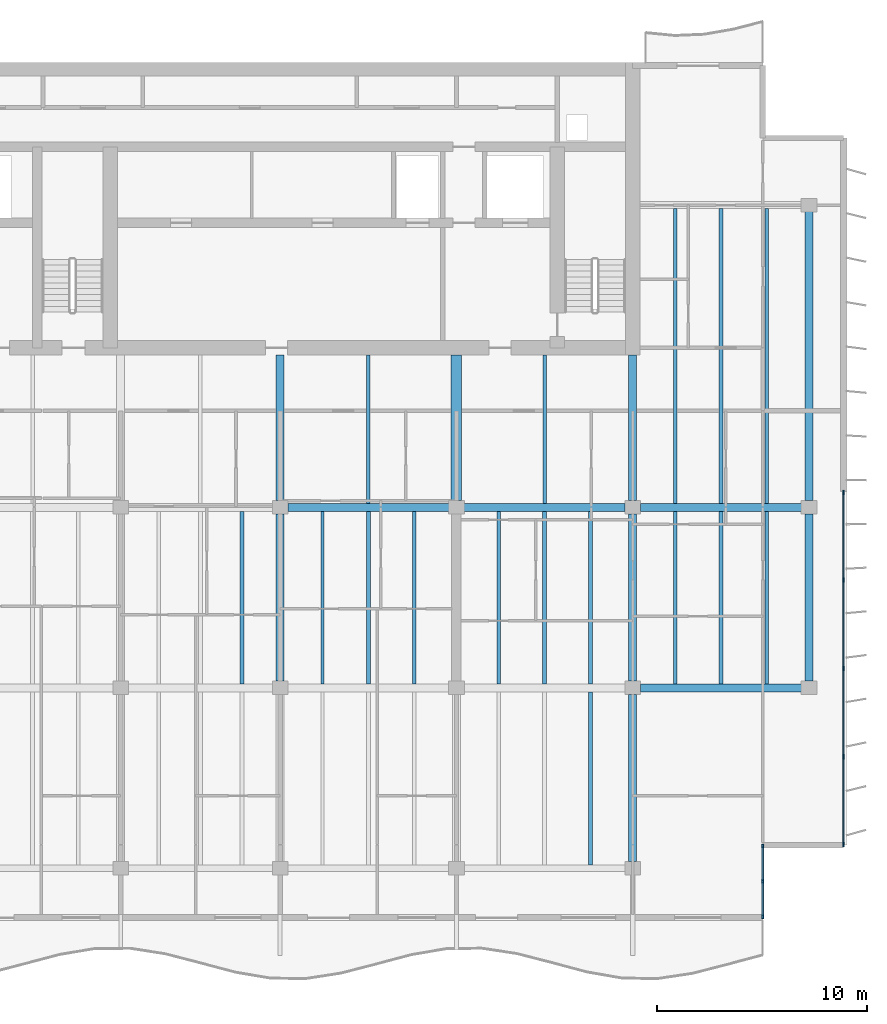
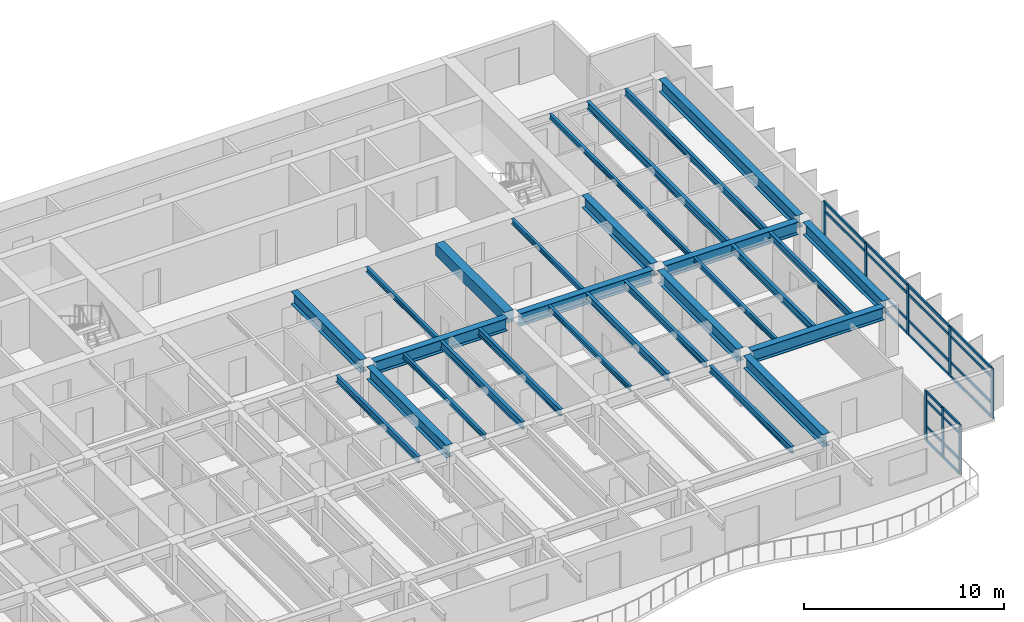
# One storey, part 4 of 16: 32 members, 28 beams, 2 elements without a shape of their own.
"""IFC4 building model written with IfcOpenShell, lengths in metres."""

from ifc_helpers import new_model, si_unit, direction, frame, origin, origin_2d, place, context, subcontext, project, spatial, rectangle, i_section, extrude, material, layer, layer_set, material_profile, profile_set, type_object, element, aggregate, save


model = new_model("IFC4")

# Units and contexts
model_context = context("Model", 3, precision=1e-05, world=origin(), true_north=direction((0.0, 1.0)))
body_context = subcontext(model_context, "Body", "Model", "MODEL_VIEW")
ifc_project = project(units=[si_unit("LENGTHUNIT", "METRE"), si_unit("AREAUNIT", "SQUARE_METRE"), si_unit("VOLUMEUNIT", "CUBIC_METRE"), si_unit("PLANEANGLEUNIT", "RADIAN"), si_unit("MASSUNIT", "GRAM", prefix="KILO")], contexts=[model_context])

# Site, building, storey
site_placement = place(None, origin())
site = spatial("IfcSite", under=ifc_project, at=site_placement, CompositionType="ELEMENT")
building_placement = place(site_placement, origin())
building = spatial("IfcBuilding", under=site, at=building_placement, Name="Caelmar Bay Residences", CompositionType="ELEMENT")
storey_placement = place(building_placement, frame((0.0, 0.0, 233.10009765625)))
storey = spatial("IfcBuildingStorey", under=building, at=storey_placement, Name="L65", CompositionType="ELEMENT", Elevation=233.10009765625)

# Beams
ifc_material_1 = material(Name="Steel ASTM A992 Grade 50", Category="steel")
ifc_material_profile_1 = material_profile(ifc_material_1, i_section(OverallWidth=0.177978515625, OverallDepth=0.406005859375, WebThickness=0.0078125, FlangeThickness=0.0126953125, FilletRadius=0.0087890625, at=origin_2d()), Name="W16X40")
ifc_profile_set_1 = profile_set([ifc_material_profile_1], Name="Steel ASTM A992 Grade 50")
beam_type_1 = type_object("IfcBeamType", Name="BM-BAL-W16X40", PredefinedType="JOIST", material=ifc_profile_set_1)
beam_1_placement = place(storey_placement, frame((57.48388671875, 12.362548828125, 2.846923828125), z_axis=(0.0, 1.0, 0.0), x_axis=(-1.0, 0.0, 0.0)))
element("IfcBeam", 1, at=beam_1_placement, inside=storey, type_object=beam_type_1, Name="L65 Composite Floor Joist 15", PredefinedType="JOIST", context=body_context, shape_type="SweptSolid", body=[
    extrude(i_section(OverallWidth=0.177978515625, OverallDepth=0.406005859375, WebThickness=0.0078125, FlangeThickness=0.0126953125, FilletRadius=0.0087890625, at=origin_2d()), origin(), (0.0, 0.0, 1.0), 8.2470703125),
])
for number, where, z_axis, x_axis, name in (
    (2, (40.8759765625, 20.990478515625, 2.846923828125), (0.0, 1.0, 0.0), (-1.0, 0.0, 0.0), "L65 Composite Floor Joist 27"),
    (3, (49.083984375, 20.990478515625, 2.846923828125), (0.0, 1.0, 0.0), (-1.0, 0.0, 0.0), "L65 Composite Floor Joist 30"),
    (4, (57.48388671875, 20.990478515625, 2.846923828125), (0.0, 1.0, 0.0), (-1.0, 0.0, 0.0), "L65 Composite Floor Joist 33"),
    (5, (65.884033203125, 20.990478515625, 2.846923828125), (0.0, 1.0, 0.0), (-1.0, 0.0, 0.0), "L65 Composite Floor Joist 36"),
):
    element("IfcBeam", number, at=place(storey_placement, frame(where, z_axis=z_axis, x_axis=x_axis)), inside=storey, type_object=beam_type_1, Name=name, PredefinedType="JOIST", context=body_context, shape_type="SweptSolid", body=[
        extrude(i_section(OverallWidth=0.177978515625, OverallDepth=0.406005859375, WebThickness=0.0078125, FlangeThickness=0.0126953125, FilletRadius=0.0087890625, at=origin_2d()), origin(), (0.0, 0.0, 1.0), 8.218994140625),
    ])
beam_2_placement = place(storey_placement, frame((65.884033203125, 29.590576171875, 2.846923828125), z_axis=(0.0, 1.0, 0.0), x_axis=(-1.0, 0.0, 0.0)))
element("IfcBeam", 6, at=beam_2_placement, inside=storey, type_object=beam_type_1, Name="L65 Composite Floor Joist 47", PredefinedType="JOIST", context=body_context, shape_type="SweptSolid", body=[
    extrude(i_section(OverallWidth=0.177978515625, OverallDepth=0.406005859375, WebThickness=0.0078125, FlangeThickness=0.0126953125, FilletRadius=0.0087890625, at=origin_2d()), origin(), (0.0, 0.0, 1.0), 14.046875),
])
ifc_material_profile_2 = material_profile(ifc_material_1, i_section(OverallWidth=0.381103515625, OverallDepth=0.77197265625, WebThickness=0.0166015625, FlangeThickness=0.027099609375, FilletRadius=0.0166015625, at=origin_2d()), Name="W30X173")
ifc_profile_set_2 = profile_set([ifc_material_profile_2], Name="Steel ASTM A992 Grade 50")
beam_type_2 = type_object("IfcBeamType", Name="BM-GRD-W30X173", PredefinedType="BEAM", material=ifc_profile_set_2)
beam_3_placement = place(storey_placement, frame((59.864990234375, 20.800048828125, 2.663818359375), z_axis=(1.0, 0.0, 0.0), x_axis=(0.0, 1.0, 0.0)))
element("IfcBeam", 7, at=beam_3_placement, inside=storey, type_object=beam_type_2, Name="L65 East-West Girder Y=20.80 (59.5-67.9)", PredefinedType="BEAM", context=body_context, shape_type="SweptSolid", body=[
    extrude(i_section(OverallWidth=0.381103515625, OverallDepth=0.77197265625, WebThickness=0.0166015625, FlangeThickness=0.027099609375, FilletRadius=0.0166015625, at=origin_2d()), origin(), (0.0, 0.0, 1.0), 7.669921875),
])
beam_4_placement = place(storey_placement, frame((43.06494140625, 29.39990234375, 2.663818359375), z_axis=(1.0, 0.0, 0.0), x_axis=(0.0, 1.0, 0.0)))
element("IfcBeam", 8, at=beam_4_placement, inside=storey, type_object=beam_type_2, Name="L65 East-West Girder Y=29.40 (42.7-51.1)", PredefinedType="BEAM", context=body_context, shape_type="SweptSolid", body=[
    extrude(i_section(OverallWidth=0.381103515625, OverallDepth=0.77197265625, WebThickness=0.0166015625, FlangeThickness=0.027099609375, FilletRadius=0.0166015625, at=origin_2d()), origin(), (0.0, 0.0, 1.0), 7.670166015625),
])
for number, where, z_axis, x_axis, name in (
    (9, (51.465087890625, 29.39990234375, 2.663818359375), (1.0, 0.0, 0.0), (0.0, 1.0, 0.0), "L65 East-West Girder Y=29.40 (51.1-59.5)"),
    (10, (59.864990234375, 29.39990234375, 2.663818359375), (1.0, 0.0, 0.0), (0.0, 1.0, 0.0), "L65 East-West Girder Y=29.40 (59.5-67.9)"),
):
    element("IfcBeam", number, at=place(storey_placement, frame(where, z_axis=z_axis, x_axis=x_axis)), inside=storey, type_object=beam_type_2, Name=name, PredefinedType="BEAM", context=body_context, shape_type="SweptSolid", body=[
        extrude(i_section(OverallWidth=0.381103515625, OverallDepth=0.77197265625, WebThickness=0.0166015625, FlangeThickness=0.027099609375, FilletRadius=0.0166015625, at=origin_2d()), origin(), (0.0, 0.0, 1.0), 7.669921875),
    ])
beam_5_placement = place(storey_placement, frame((42.699951171875, 29.715087890625, 2.663818359375), z_axis=(0.0, 1.0, 0.0), x_axis=(-1.0, 0.0, 0.0)))
element("IfcBeam", 11, at=beam_5_placement, inside=storey, type_object=beam_type_2, Name="L65 Core Tie Girder X=42.70", PredefinedType="BEAM", context=body_context, shape_type="SweptSolid", body=[
    extrude(i_section(OverallWidth=0.381103515625, OverallDepth=0.77197265625, WebThickness=0.0166015625, FlangeThickness=0.027099609375, FilletRadius=0.0166015625, at=origin_2d()), origin(), (0.0, 0.0, 1.0), 6.934814453125),
])
beam_6_placement = place(storey_placement, frame((42.699951171875, 21.114990234375, 2.663818359375), z_axis=(0.0, 1.0, 0.0), x_axis=(-1.0, 0.0, 0.0)))
element("IfcBeam", 12, at=beam_6_placement, inside=storey, type_object=beam_type_2, Name="L65 North-South Girder X=42.70 (20.8-29.4)", PredefinedType="BEAM", context=body_context, shape_type="SweptSolid", body=[
    extrude(i_section(OverallWidth=0.381103515625, OverallDepth=0.77197265625, WebThickness=0.0166015625, FlangeThickness=0.027099609375, FilletRadius=0.0166015625, at=origin_2d()), origin(), (0.0, 0.0, 1.0), 7.969970703125),
])
beam_7_placement = place(storey_placement, frame((59.5, 29.715087890625, 2.663818359375), z_axis=(0.0, 1.0, 0.0), x_axis=(-1.0, 0.0, 0.0)))
element("IfcBeam", 13, at=beam_7_placement, inside=storey, type_object=beam_type_2, Name="L65 Core Tie Girder X=59.50", PredefinedType="BEAM", context=body_context, shape_type="SweptSolid", body=[
    extrude(i_section(OverallWidth=0.381103515625, OverallDepth=0.77197265625, WebThickness=0.0166015625, FlangeThickness=0.027099609375, FilletRadius=0.0166015625, at=origin_2d()), origin(), (0.0, 0.0, 1.0), 6.934814453125),
])
beam_8_placement = place(storey_placement, frame((59.5, 12.514892578125, 2.663818359375), z_axis=(0.0, 1.0, 0.0), x_axis=(-1.0, 0.0, 0.0)))
element("IfcBeam", 14, at=beam_8_placement, inside=storey, type_object=beam_type_2, Name="L65 North-South Girder X=59.50 (12.2-20.8)", PredefinedType="BEAM", context=body_context, shape_type="SweptSolid", body=[
    extrude(i_section(OverallWidth=0.381103515625, OverallDepth=0.77197265625, WebThickness=0.0166015625, FlangeThickness=0.027099609375, FilletRadius=0.0166015625, at=origin_2d()), origin(), (0.0, 0.0, 1.0), 7.97021484375),
])
for number, where, z_axis, x_axis, name in (
    (15, (59.5, 21.114990234375, 2.663818359375), (0.0, 1.0, 0.0), (-1.0, 0.0, 0.0), "L65 North-South Girder X=59.50 (20.8-29.4)"),
    (16, (67.89990234375, 21.114990234375, 2.663818359375), (0.0, 1.0, 0.0), (-1.0, 0.0, 0.0), "L65 North-South Girder X=67.90 (20.8-29.4)"),
):
    element("IfcBeam", number, at=place(storey_placement, frame(where, z_axis=z_axis, x_axis=x_axis)), inside=storey, type_object=beam_type_2, Name=name, PredefinedType="BEAM", context=body_context, shape_type="SweptSolid", body=[
        extrude(i_section(OverallWidth=0.381103515625, OverallDepth=0.77197265625, WebThickness=0.0166015625, FlangeThickness=0.027099609375, FilletRadius=0.0166015625, at=origin_2d()), origin(), (0.0, 0.0, 1.0), 7.969970703125),
    ])
beam_9_placement = place(storey_placement, frame((67.89990234375, 29.715087890625, 2.663818359375), z_axis=(0.0, 1.0, 0.0), x_axis=(-1.0, 0.0, 0.0)))
element("IfcBeam", 17, at=beam_9_placement, inside=storey, type_object=beam_type_2, Name="L65 North-South Girder X=67.90 (29.4-43.8)", PredefinedType="BEAM", context=body_context, shape_type="SweptSolid", body=[
    extrude(i_section(OverallWidth=0.381103515625, OverallDepth=0.77197265625, WebThickness=0.0166015625, FlangeThickness=0.027099609375, FilletRadius=0.0166015625, at=origin_2d()), origin(), (0.0, 0.0, 1.0), 13.77001953125),
])
ifc_material_profile_3 = material_profile(ifc_material_1, i_section(OverallWidth=0.1650390625, OverallDepth=0.31005859375, WebThickness=0.005859375, FlangeThickness=0.009765625, FilletRadius=0.007568359375, at=origin_2d()), Name="W12X26")
ifc_profile_set_3 = profile_set([ifc_material_profile_3], Name="Steel ASTM A992 Grade 50")
beam_type_3 = type_object("IfcBeamType", Name="BM-JST-W12X26", PredefinedType="JOIST", material=ifc_profile_set_3)
for number, where, z_axis, x_axis, name in (
    (18, (44.716064453125, 20.990478515625, 2.89501953125), (0.0, 1.0, 0.0), (-1.0, 0.0, 0.0), "L65 Composite Floor Joist 28"),
    (19, (53.115966796875, 20.990478515625, 2.89501953125), (0.0, 1.0, 0.0), (-1.0, 0.0, 0.0), "L65 Composite Floor Joist 31"),
    (20, (61.51611328125, 20.990478515625, 2.89501953125), (0.0, 1.0, 0.0), (-1.0, 0.0, 0.0), "L65 Composite Floor Joist 34"),
):
    element("IfcBeam", number, at=place(storey_placement, frame(where, z_axis=z_axis, x_axis=x_axis)), inside=storey, type_object=beam_type_3, Name=name, PredefinedType="JOIST", context=body_context, shape_type="SweptSolid", body=[
        extrude(i_section(OverallWidth=0.1650390625, OverallDepth=0.31005859375, WebThickness=0.005859375, FlangeThickness=0.009765625, FilletRadius=0.007568359375, at=origin_2d()), origin(), (0.0, 0.0, 1.0), 8.218994140625),
    ])
for number, where, z_axis, x_axis, name in (
    (21, (46.89990234375, 29.590576171875, 2.89501953125), (0.0, 1.0, 0.0), (-1.0, 0.0, 0.0), "L65 Core-Band Composite Joist 40"),
    (22, (55.300048828125, 29.590576171875, 2.89501953125), (0.0, 1.0, 0.0), (-1.0, 0.0, 0.0), "L65 Core-Band Composite Joist 41"),
):
    element("IfcBeam", number, at=place(storey_placement, frame(where, z_axis=z_axis, x_axis=x_axis)), inside=storey, type_object=beam_type_3, Name=name, PredefinedType="JOIST", context=body_context, shape_type="SweptSolid", body=[
        extrude(i_section(OverallWidth=0.1650390625, OverallDepth=0.31005859375, WebThickness=0.005859375, FlangeThickness=0.009765625, FilletRadius=0.007568359375, at=origin_2d()), origin(), (0.0, 0.0, 1.0), 7.059326171875),
    ])
beam_10_placement = place(storey_placement, frame((61.51611328125, 29.590576171875, 2.89501953125), z_axis=(0.0, 1.0, 0.0), x_axis=(-1.0, 0.0, 0.0)))
element("IfcBeam", 23, at=beam_10_placement, inside=storey, type_object=beam_type_3, Name="L65 Composite Floor Joist 45", PredefinedType="JOIST", context=body_context, shape_type="SweptSolid", body=[
    extrude(i_section(OverallWidth=0.1650390625, OverallDepth=0.31005859375, WebThickness=0.005859375, FlangeThickness=0.009765625, FilletRadius=0.007568359375, at=origin_2d()), origin(), (0.0, 0.0, 1.0), 14.046875),
])
ifc_material_profile_4 = material_profile(ifc_material_1, i_section(OverallWidth=0.19091796875, OverallDepth=0.45703125, WebThickness=0.009033203125, FlangeThickness=0.014404296875, FilletRadius=0.01025390625, at=origin_2d()), Name="W18X50")
ifc_profile_set_4 = profile_set([ifc_material_profile_4], Name="Steel ASTM A992 Grade 50")
beam_type_4 = type_object("IfcBeamType", Name="BM-JST-W18X50", PredefinedType="JOIST", material=ifc_profile_set_4)
for number, where, z_axis, x_axis, name in (
    (24, (46.89990234375, 20.990478515625, 2.8212890625), (0.0, 1.0, 0.0), (-1.0, 0.0, 0.0), "L65 Composite Floor Joist 29"),
    (25, (55.300048828125, 20.990478515625, 2.8212890625), (0.0, 1.0, 0.0), (-1.0, 0.0, 0.0), "L65 Composite Floor Joist 32"),
    (26, (63.699951171875, 20.990478515625, 2.8212890625), (0.0, 1.0, 0.0), (-1.0, 0.0, 0.0), "L65 Composite Floor Joist 35"),
):
    element("IfcBeam", number, at=place(storey_placement, frame(where, z_axis=z_axis, x_axis=x_axis)), inside=storey, type_object=beam_type_4, Name=name, PredefinedType="JOIST", context=body_context, shape_type="SweptSolid", body=[
        extrude(i_section(OverallWidth=0.19091796875, OverallDepth=0.45703125, WebThickness=0.009033203125, FlangeThickness=0.014404296875, FilletRadius=0.01025390625, at=origin_2d()), origin(), (0.0, 0.0, 1.0), 8.218994140625),
    ])
beam_11_placement = place(storey_placement, frame((63.699951171875, 29.590576171875, 2.8212890625), z_axis=(0.0, 1.0, 0.0), x_axis=(-1.0, 0.0, 0.0)))
element("IfcBeam", 27, at=beam_11_placement, inside=storey, type_object=beam_type_4, Name="L65 Composite Floor Joist 46", PredefinedType="JOIST", context=body_context, shape_type="SweptSolid", body=[
    extrude(i_section(OverallWidth=0.19091796875, OverallDepth=0.45703125, WebThickness=0.009033203125, FlangeThickness=0.014404296875, FilletRadius=0.01025390625, at=origin_2d()), origin(), (0.0, 0.0, 1.0), 14.046875),
])
ifc_material_2 = material(Name="Concrete f'c 55 MPa (8,000 psi)", Category="concrete")
ifc_material_profile_5 = material_profile(ifc_material_2, rectangle(XDim=0.5, YDim=0.699951171875, at=origin_2d()), Name="RC-BM-500X700")
ifc_profile_set_5 = profile_set([ifc_material_profile_5], Name="Concrete f'c 55 MPa (8,000 psi)")
beam_type_5 = type_object("IfcBeamType", Name="BM-RC-500X700", PredefinedType="LINTEL", material=ifc_profile_set_5)
beam_12_placement = place(storey_placement, frame((51.10009765625, 29.715087890625, 2.699951171875), z_axis=(0.0, 1.0, 0.0), x_axis=(-1.0, 0.0, 0.0)))
element("IfcBeam", 28, at=beam_12_placement, inside=storey, type_object=beam_type_5, Name="L65 Shear-Wall Corridor Coupling Lintel E8", PredefinedType="LINTEL", context=body_context, shape_type="SweptSolid", body=[
    extrude(rectangle(XDim=0.5, YDim=0.699951171875, at=origin_2d()), origin(), (0.0, 0.0, 1.0), 6.934814453125),
])

# Curtain wall, members
ifc_material_3 = material(Name="Anodised bronze aluminium 6063-T6 and laminated glass", Category="aluminium")
ifc_layer_1 = layer(ifc_material_3, 0.179931640625)
ifc_layer_set_1 = layer_set([ifc_layer_1], Name="Anodised bronze aluminium 6063-T6 and laminated glass")
curtain_wall_type_1 = type_object("IfcCurtainWallType", Name="CW6-NTC", PredefinedType="NOTDEFINED", material=ifc_layer_set_1)
curtain_wall_1_placement = place(storey_placement, origin())
curtain_wall_1 = element("IfcCurtainWall", 29, at=curtain_wall_1_placement, inside=storey, type_object=curtain_wall_type_1, Name="CW6 curtain wall L65", PredefinedType="NOTDEFINED")
ifc_material_4 = material(Name="Anodised bronze aluminium 6063-T6", Category="aluminium")
ifc_material_profile_6 = material_profile(ifc_material_4, rectangle(XDim=0.080078125, YDim=0.179931640625, at=origin_2d()), Name="CWM-80X180")
ifc_profile_set_6 = profile_set([ifc_material_profile_6], Name="Anodised bronze aluminium 6063-T6")
member_type_1 = type_object("IfcMemberType", Name="CWM-180", PredefinedType="MULLION", material=ifc_profile_set_6)
member_1_placement = place(storey_placement, frame((65.699951171875, 9.889892578125, 0.0), z_axis=(0.0, 0.0, 1.0), x_axis=(-1.0, 0.0, 0.0)))
member_1 = element("IfcMember", 30, at=member_1_placement, type_object=member_type_1, Name="CW6 mullion 1", PredefinedType="MULLION", context=body_context, shape_type="SweptSolid", body=[
    extrude(rectangle(XDim=0.080078125, YDim=0.179931640625, at=origin_2d()), origin(), (0.0, 0.0, 1.0), 3.0498046875),
])
member_2_placement = place(storey_placement, frame((65.699951171875, 11.574951171875, 0.0), z_axis=(0.0, 0.0, 1.0), x_axis=(-1.0, 0.0, 0.0)))
member_2 = element("IfcMember", 31, at=member_2_placement, type_object=member_type_1, Name="CW6 mullion 2", PredefinedType="MULLION", context=body_context, shape_type="SweptSolid", body=[
    extrude(rectangle(XDim=0.080078125, YDim=0.179931640625, at=origin_2d()), origin(), (0.0, 0.0, 1.0), 3.0498046875),
])
member_3_placement = place(storey_placement, frame((65.699951171875, 13.260009765625, 0.0), z_axis=(0.0, 0.0, 1.0), x_axis=(-1.0, 0.0, 0.0)))
member_3 = element("IfcMember", 32, at=member_3_placement, type_object=member_type_1, Name="CW6 mullion 3", PredefinedType="MULLION", context=body_context, shape_type="SweptSolid", body=[
    extrude(rectangle(XDim=0.080078125, YDim=0.179931640625, at=origin_2d()), origin(), (0.0, 0.0, 1.0), 3.0498046875),
])

ifc_layer_2 = layer(ifc_material_3, 0.179931640625)
ifc_layer_set_2 = layer_set([ifc_layer_2], Name="Anodised bronze aluminium 6063-T6 and laminated glass")
curtain_wall_type_2 = type_object("IfcCurtainWallType", Name="CW5-Z4", PredefinedType="NOTDEFINED", material=ifc_layer_set_2)
curtain_wall_2_placement = place(storey_placement, origin())
curtain_wall_2 = element("IfcCurtainWall", 33, at=curtain_wall_2_placement, inside=storey, type_object=curtain_wall_type_2, Name="CW5 curtain wall L65", PredefinedType="NOTDEFINED")
ifc_material_profile_7 = material_profile(ifc_material_4, rectangle(XDim=0.080078125, YDim=0.219970703125, at=origin_2d()), Name="CWM-80X220")
ifc_profile_set_7 = profile_set([ifc_material_profile_7], Name="Anodised bronze aluminium 6063-T6")
member_type_2 = type_object("IfcMemberType", Name="CWM-220", PredefinedType="MULLION", material=ifc_profile_set_7)
member_4_placement = place(storey_placement, frame((69.550048828125, 30.110107421875, 0.0), z_axis=(0.0, 0.0, 1.0), x_axis=(1.0, 0.0, 0.0)))
member_4 = element("IfcMember", 34, at=member_4_placement, type_object=member_type_2, Name="CW5 mullion 1", PredefinedType="MULLION", context=body_context, shape_type="SweptSolid", body=[
    extrude(rectangle(XDim=0.080078125, YDim=0.219970703125, at=origin_2d()), origin(), (0.0, 0.0, 1.0), 3.0498046875),
])
member_5_placement = place(storey_placement, frame((69.550048828125, 25.9375, 0.0), z_axis=(0.0, 0.0, 1.0), x_axis=(1.0, 0.0, 0.0)))
member_5 = element("IfcMember", 35, at=member_5_placement, type_object=member_type_2, Name="CW5 mullion 2", PredefinedType="MULLION", context=body_context, shape_type="SweptSolid", body=[
    extrude(rectangle(XDim=0.080078125, YDim=0.219970703125, at=origin_2d()), origin(), (0.0, 0.0, 1.0), 3.0498046875),
])
member_6_placement = place(storey_placement, frame((69.550048828125, 21.72509765625, 0.0), z_axis=(0.0, 0.0, 1.0), x_axis=(1.0, 0.0, 0.0)))
member_6 = element("IfcMember", 36, at=member_6_placement, type_object=member_type_2, Name="CW5 mullion 3", PredefinedType="MULLION", context=body_context, shape_type="SweptSolid", body=[
    extrude(rectangle(XDim=0.080078125, YDim=0.219970703125, at=origin_2d()), origin(), (0.0, 0.0, 1.0), 3.0498046875),
])
member_7_placement = place(storey_placement, frame((69.550048828125, 17.512451171875, 0.0), z_axis=(0.0, 0.0, 1.0), x_axis=(1.0, 0.0, 0.0)))
member_7 = element("IfcMember", 37, at=member_7_placement, type_object=member_type_2, Name="CW5 mullion 4", PredefinedType="MULLION", context=body_context, shape_type="SweptSolid", body=[
    extrude(rectangle(XDim=0.080078125, YDim=0.219970703125, at=origin_2d()), origin(), (0.0, 0.0, 1.0), 3.0498046875),
])
member_8_placement = place(storey_placement, frame((69.550048828125, 13.340087890625, 0.0), z_axis=(0.0, 0.0, 1.0), x_axis=(1.0, 0.0, 0.0)))
member_8 = element("IfcMember", 38, at=member_8_placement, type_object=member_type_2, Name="CW5 mullion 5", PredefinedType="MULLION", context=body_context, shape_type="SweptSolid", body=[
    extrude(rectangle(XDim=0.080078125, YDim=0.219970703125, at=origin_2d()), origin(), (0.0, 0.0, 1.0), 3.0498046875),
])

# Member
ifc_material_profile_8 = material_profile(ifc_material_4, rectangle(XDim=0.080078125, YDim=0.139892578125, at=origin_2d()), Name="CWT-80X140")
ifc_profile_set_8 = profile_set([ifc_material_profile_8], Name="Anodised bronze aluminium 6063-T6")
member_type_3 = type_object("IfcMemberType", Name="CWT-140", PredefinedType="NOTDEFINED", material=ifc_profile_set_8)
member_9_placement = place(storey_placement, frame((65.699951171875, 9.929931640625, 0.039794921875), z_axis=(0.0, 1.0, 0.0), x_axis=(-1.0, 0.0, 0.0)))
member_9 = element("IfcMember", 39, at=member_9_placement, type_object=member_type_3, Name="CW6 transom 1.1", ObjectType="TRANSOM", PredefinedType="USERDEFINED", context=body_context, shape_type="SweptSolid", body=[
    extrude(rectangle(XDim=0.080078125, YDim=0.139892578125, at=origin_2d()), origin(), (0.0, 0.0, 1.0), 1.60498046875),
])

member_10_placement = place(storey_placement, frame((65.699951171875, 9.929931640625, 0.89990234375), z_axis=(0.0, 1.0, 0.0), x_axis=(-1.0, 0.0, 0.0)))
member_10 = element("IfcMember", 40, at=member_10_placement, type_object=member_type_3, Name="CW6 transom 1.2", ObjectType="TRANSOM", PredefinedType="USERDEFINED", context=body_context, shape_type="SweptSolid", body=[
    extrude(rectangle(XDim=0.080078125, YDim=0.139892578125, at=origin_2d()), origin(), (0.0, 0.0, 1.0), 1.60498046875),
])

member_11_placement = place(storey_placement, frame((65.699951171875, 9.929931640625, 2.5), z_axis=(0.0, 1.0, 0.0), x_axis=(-1.0, 0.0, 0.0)))
member_11 = element("IfcMember", 41, at=member_11_placement, type_object=member_type_3, Name="CW6 transom 1.3", ObjectType="TRANSOM", PredefinedType="USERDEFINED", context=body_context, shape_type="SweptSolid", body=[
    extrude(rectangle(XDim=0.080078125, YDim=0.139892578125, at=origin_2d()), origin(), (0.0, 0.0, 1.0), 1.60498046875),
])

member_12_placement = place(storey_placement, frame((65.699951171875, 9.929931640625, 3.010009765625), z_axis=(0.0, 1.0, 0.0), x_axis=(-1.0, 0.0, 0.0)))
member_12 = element("IfcMember", 42, at=member_12_placement, type_object=member_type_3, Name="CW6 transom 1.4", ObjectType="TRANSOM", PredefinedType="USERDEFINED", context=body_context, shape_type="SweptSolid", body=[
    extrude(rectangle(XDim=0.080078125, YDim=0.139892578125, at=origin_2d()), origin(), (0.0, 0.0, 1.0), 1.60498046875),
])

member_13_placement = place(storey_placement, frame((65.699951171875, 11.614990234375, 0.039794921875), z_axis=(0.0, 1.0, 0.0), x_axis=(-1.0, 0.0, 0.0)))
member_13 = element("IfcMember", 43, at=member_13_placement, type_object=member_type_3, Name="CW6 transom 2.1", ObjectType="TRANSOM", PredefinedType="USERDEFINED", context=body_context, shape_type="SweptSolid", body=[
    extrude(rectangle(XDim=0.080078125, YDim=0.139892578125, at=origin_2d()), origin(), (0.0, 0.0, 1.0), 1.60498046875),
])

member_14_placement = place(storey_placement, frame((65.699951171875, 11.614990234375, 0.89990234375), z_axis=(0.0, 1.0, 0.0), x_axis=(-1.0, 0.0, 0.0)))
member_14 = element("IfcMember", 44, at=member_14_placement, type_object=member_type_3, Name="CW6 transom 2.2", ObjectType="TRANSOM", PredefinedType="USERDEFINED", context=body_context, shape_type="SweptSolid", body=[
    extrude(rectangle(XDim=0.080078125, YDim=0.139892578125, at=origin_2d()), origin(), (0.0, 0.0, 1.0), 1.60498046875),
])

member_15_placement = place(storey_placement, frame((65.699951171875, 11.614990234375, 2.5), z_axis=(0.0, 1.0, 0.0), x_axis=(-1.0, 0.0, 0.0)))
member_15 = element("IfcMember", 45, at=member_15_placement, type_object=member_type_3, Name="CW6 transom 2.3", ObjectType="TRANSOM", PredefinedType="USERDEFINED", context=body_context, shape_type="SweptSolid", body=[
    extrude(rectangle(XDim=0.080078125, YDim=0.139892578125, at=origin_2d()), origin(), (0.0, 0.0, 1.0), 1.60498046875),
])

member_16_placement = place(storey_placement, frame((65.699951171875, 11.614990234375, 3.010009765625), z_axis=(0.0, 1.0, 0.0), x_axis=(-1.0, 0.0, 0.0)))
member_16 = element("IfcMember", 46, at=member_16_placement, type_object=member_type_3, Name="CW6 transom 2.4", ObjectType="TRANSOM", PredefinedType="USERDEFINED", context=body_context, shape_type="SweptSolid", body=[
    extrude(rectangle(XDim=0.080078125, YDim=0.139892578125, at=origin_2d()), origin(), (0.0, 0.0, 1.0), 1.60498046875),
])

aggregate(curtain_wall_1, [member_1, member_2, member_3, member_9, member_10, member_11, member_12, member_13, member_14, member_15, member_16])

ifc_material_profile_9 = material_profile(ifc_material_4, rectangle(XDim=0.080078125, YDim=0.159912109375, at=origin_2d()), Name="CWT-80X160")
ifc_profile_set_9 = profile_set([ifc_material_profile_9], Name="Anodised bronze aluminium 6063-T6")
member_type_4 = type_object("IfcMemberType", Name="CWT-160", PredefinedType="NOTDEFINED", material=ifc_profile_set_9)
member_17_placement = place(storey_placement, frame((69.550048828125, 30.070068359375, 0.039794921875), z_axis=(0.0, -1.0, 0.0), x_axis=(1.0, 0.0, 0.0)))
member_17 = element("IfcMember", 47, at=member_17_placement, type_object=member_type_4, Name="CW5 transom 1.1", ObjectType="TRANSOM", PredefinedType="USERDEFINED", context=body_context, shape_type="SweptSolid", body=[
    extrude(rectangle(XDim=0.080078125, YDim=0.159912109375, at=origin_2d()), origin(), (0.0, 0.0, 1.0), 4.092529296875),
])

member_18_placement = place(storey_placement, frame((69.550048828125, 30.070068359375, 0.89990234375), z_axis=(0.0, -1.0, 0.0), x_axis=(1.0, 0.0, 0.0)))
member_18 = element("IfcMember", 48, at=member_18_placement, type_object=member_type_4, Name="CW5 transom 1.2", ObjectType="TRANSOM", PredefinedType="USERDEFINED", context=body_context, shape_type="SweptSolid", body=[
    extrude(rectangle(XDim=0.080078125, YDim=0.159912109375, at=origin_2d()), origin(), (0.0, 0.0, 1.0), 4.092529296875),
])

member_19_placement = place(storey_placement, frame((69.550048828125, 30.070068359375, 2.5), z_axis=(0.0, -1.0, 0.0), x_axis=(1.0, 0.0, 0.0)))
member_19 = element("IfcMember", 49, at=member_19_placement, type_object=member_type_4, Name="CW5 transom 1.3", ObjectType="TRANSOM", PredefinedType="USERDEFINED", context=body_context, shape_type="SweptSolid", body=[
    extrude(rectangle(XDim=0.080078125, YDim=0.159912109375, at=origin_2d()), origin(), (0.0, 0.0, 1.0), 4.092529296875),
])

member_20_placement = place(storey_placement, frame((69.550048828125, 30.070068359375, 3.010009765625), z_axis=(0.0, -1.0, 0.0), x_axis=(1.0, 0.0, 0.0)))
member_20 = element("IfcMember", 50, at=member_20_placement, type_object=member_type_4, Name="CW5 transom 1.4", ObjectType="TRANSOM", PredefinedType="USERDEFINED", context=body_context, shape_type="SweptSolid", body=[
    extrude(rectangle(XDim=0.080078125, YDim=0.159912109375, at=origin_2d()), origin(), (0.0, 0.0, 1.0), 4.092529296875),
])

member_21_placement = place(storey_placement, frame((69.550048828125, 25.8974609375, 0.039794921875), z_axis=(0.0, -1.0, 0.0), x_axis=(1.0, 0.0, 0.0)))
member_21 = element("IfcMember", 51, at=member_21_placement, type_object=member_type_4, Name="CW5 transom 2.1", ObjectType="TRANSOM", PredefinedType="USERDEFINED", context=body_context, shape_type="SweptSolid", body=[
    extrude(rectangle(XDim=0.080078125, YDim=0.159912109375, at=origin_2d()), origin(), (0.0, 0.0, 1.0), 4.132568359375),
])

member_22_placement = place(storey_placement, frame((69.550048828125, 25.8974609375, 0.89990234375), z_axis=(0.0, -1.0, 0.0), x_axis=(1.0, 0.0, 0.0)))
member_22 = element("IfcMember", 52, at=member_22_placement, type_object=member_type_4, Name="CW5 transom 2.2", ObjectType="TRANSOM", PredefinedType="USERDEFINED", context=body_context, shape_type="SweptSolid", body=[
    extrude(rectangle(XDim=0.080078125, YDim=0.159912109375, at=origin_2d()), origin(), (0.0, 0.0, 1.0), 4.132568359375),
])

member_23_placement = place(storey_placement, frame((69.550048828125, 25.8974609375, 2.5), z_axis=(0.0, -1.0, 0.0), x_axis=(1.0, 0.0, 0.0)))
member_23 = element("IfcMember", 53, at=member_23_placement, type_object=member_type_4, Name="CW5 transom 2.3", ObjectType="TRANSOM", PredefinedType="USERDEFINED", context=body_context, shape_type="SweptSolid", body=[
    extrude(rectangle(XDim=0.080078125, YDim=0.159912109375, at=origin_2d()), origin(), (0.0, 0.0, 1.0), 4.132568359375),
])

member_24_placement = place(storey_placement, frame((69.550048828125, 25.8974609375, 3.010009765625), z_axis=(0.0, -1.0, 0.0), x_axis=(1.0, 0.0, 0.0)))
member_24 = element("IfcMember", 54, at=member_24_placement, type_object=member_type_4, Name="CW5 transom 2.4", ObjectType="TRANSOM", PredefinedType="USERDEFINED", context=body_context, shape_type="SweptSolid", body=[
    extrude(rectangle(XDim=0.080078125, YDim=0.159912109375, at=origin_2d()), origin(), (0.0, 0.0, 1.0), 4.132568359375),
])

member_25_placement = place(storey_placement, frame((69.550048828125, 21.68505859375, 0.039794921875), z_axis=(0.0, -1.0, 0.0), x_axis=(1.0, 0.0, 0.0)))
member_25 = element("IfcMember", 55, at=member_25_placement, type_object=member_type_4, Name="CW5 transom 3.1", ObjectType="TRANSOM", PredefinedType="USERDEFINED", context=body_context, shape_type="SweptSolid", body=[
    extrude(rectangle(XDim=0.080078125, YDim=0.159912109375, at=origin_2d()), origin(), (0.0, 0.0, 1.0), 4.132568359375),
])

member_26_placement = place(storey_placement, frame((69.550048828125, 21.68505859375, 0.89990234375), z_axis=(0.0, -1.0, 0.0), x_axis=(1.0, 0.0, 0.0)))
member_26 = element("IfcMember", 56, at=member_26_placement, type_object=member_type_4, Name="CW5 transom 3.2", ObjectType="TRANSOM", PredefinedType="USERDEFINED", context=body_context, shape_type="SweptSolid", body=[
    extrude(rectangle(XDim=0.080078125, YDim=0.159912109375, at=origin_2d()), origin(), (0.0, 0.0, 1.0), 4.132568359375),
])

member_27_placement = place(storey_placement, frame((69.550048828125, 21.68505859375, 2.5), z_axis=(0.0, -1.0, 0.0), x_axis=(1.0, 0.0, 0.0)))
member_27 = element("IfcMember", 57, at=member_27_placement, type_object=member_type_4, Name="CW5 transom 3.3", ObjectType="TRANSOM", PredefinedType="USERDEFINED", context=body_context, shape_type="SweptSolid", body=[
    extrude(rectangle(XDim=0.080078125, YDim=0.159912109375, at=origin_2d()), origin(), (0.0, 0.0, 1.0), 4.132568359375),
])

member_28_placement = place(storey_placement, frame((69.550048828125, 21.68505859375, 3.010009765625), z_axis=(0.0, -1.0, 0.0), x_axis=(1.0, 0.0, 0.0)))
member_28 = element("IfcMember", 58, at=member_28_placement, type_object=member_type_4, Name="CW5 transom 3.4", ObjectType="TRANSOM", PredefinedType="USERDEFINED", context=body_context, shape_type="SweptSolid", body=[
    extrude(rectangle(XDim=0.080078125, YDim=0.159912109375, at=origin_2d()), origin(), (0.0, 0.0, 1.0), 4.132568359375),
])

member_29_placement = place(storey_placement, frame((69.550048828125, 17.472412109375, 0.039794921875), z_axis=(0.0, -1.0, 0.0), x_axis=(1.0, 0.0, 0.0)))
member_29 = element("IfcMember", 59, at=member_29_placement, type_object=member_type_4, Name="CW5 transom 4.1", ObjectType="TRANSOM", PredefinedType="USERDEFINED", context=body_context, shape_type="SweptSolid", body=[
    extrude(rectangle(XDim=0.080078125, YDim=0.159912109375, at=origin_2d()), origin(), (0.0, 0.0, 1.0), 4.092529296875),
])

member_30_placement = place(storey_placement, frame((69.550048828125, 17.472412109375, 0.89990234375), z_axis=(0.0, -1.0, 0.0), x_axis=(1.0, 0.0, 0.0)))
member_30 = element("IfcMember", 60, at=member_30_placement, type_object=member_type_4, Name="CW5 transom 4.2", ObjectType="TRANSOM", PredefinedType="USERDEFINED", context=body_context, shape_type="SweptSolid", body=[
    extrude(rectangle(XDim=0.080078125, YDim=0.159912109375, at=origin_2d()), origin(), (0.0, 0.0, 1.0), 4.092529296875),
])

member_31_placement = place(storey_placement, frame((69.550048828125, 17.472412109375, 2.5), z_axis=(0.0, -1.0, 0.0), x_axis=(1.0, 0.0, 0.0)))
member_31 = element("IfcMember", 61, at=member_31_placement, type_object=member_type_4, Name="CW5 transom 4.3", ObjectType="TRANSOM", PredefinedType="USERDEFINED", context=body_context, shape_type="SweptSolid", body=[
    extrude(rectangle(XDim=0.080078125, YDim=0.159912109375, at=origin_2d()), origin(), (0.0, 0.0, 1.0), 4.092529296875),
])

member_32_placement = place(storey_placement, frame((69.550048828125, 17.472412109375, 3.010009765625), z_axis=(0.0, -1.0, 0.0), x_axis=(1.0, 0.0, 0.0)))
member_32 = element("IfcMember", 62, at=member_32_placement, type_object=member_type_4, Name="CW5 transom 4.4", ObjectType="TRANSOM", PredefinedType="USERDEFINED", context=body_context, shape_type="SweptSolid", body=[
    extrude(rectangle(XDim=0.080078125, YDim=0.159912109375, at=origin_2d()), origin(), (0.0, 0.0, 1.0), 4.092529296875),
])

aggregate(curtain_wall_2, [member_4, member_5, member_6, member_7, member_8, member_17, member_18, member_19, member_20, member_21, member_22, member_23, member_24, member_25, member_26, member_27, member_28, member_29, member_30, member_31, member_32])

save(model, "model.ifc")
